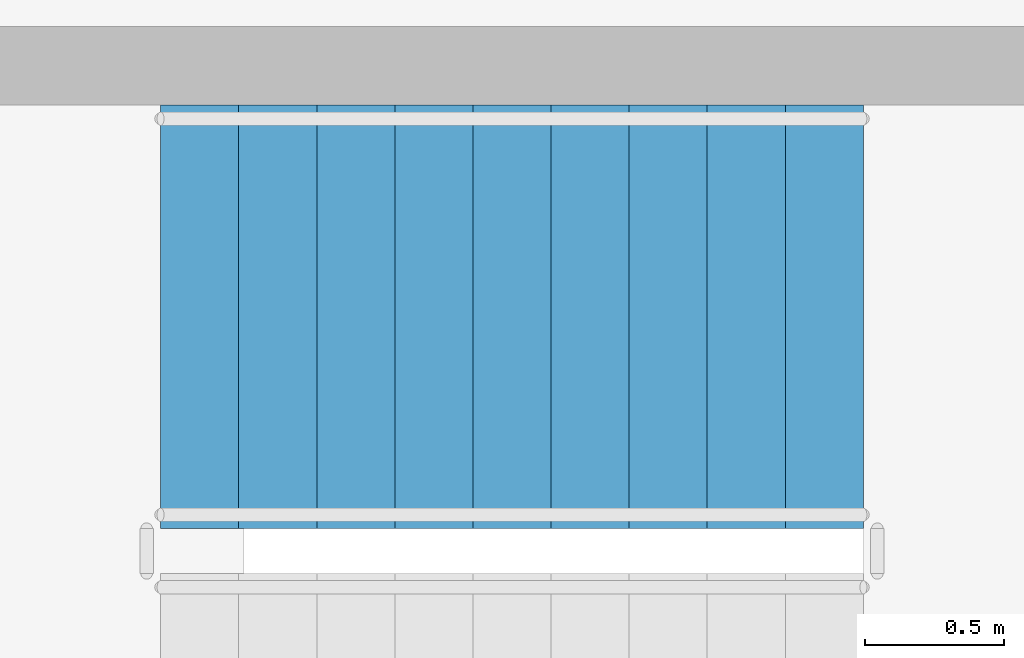
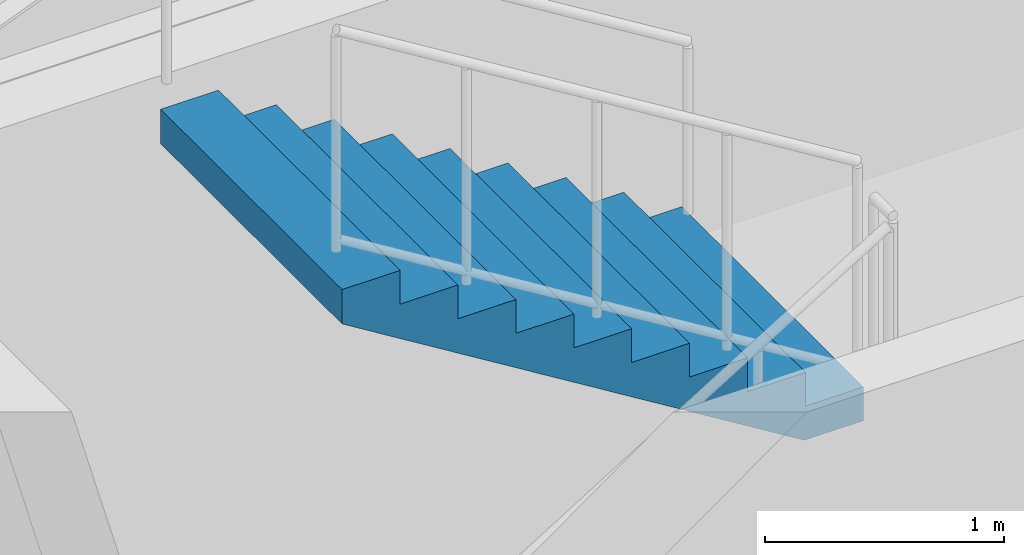
# One storey, part 10 of 11: 1 stair flight, 1 element without a shape of its own.
"""IFC4 building model written with IfcOpenShell, lengths in metres."""

from ifc_helpers import new_model, si_unit, direction, frame, origin, place, context, subcontext, project, spatial, polyline, outline, extrude, material, type_object, element, aggregate, save


model = new_model("IFC4")

# Units and contexts
model_context = context("Model", 3, precision=1e-05, world=origin(), true_north=direction((0.0, 1.0)))
body_context = subcontext(model_context, "Body", "Model", "MODEL_VIEW")
ifc_project = project(units=[si_unit("LENGTHUNIT", "METRE"), si_unit("AREAUNIT", "SQUARE_METRE"), si_unit("VOLUMEUNIT", "CUBIC_METRE"), si_unit("PLANEANGLEUNIT", "RADIAN"), si_unit("MASSUNIT", "GRAM", prefix="KILO"), si_unit("THERMODYNAMICTEMPERATUREUNIT", "KELVIN"), si_unit("POWERUNIT", "WATT")], contexts=[model_context])

# Site, building, storey
site_placement = place(None, origin())
site = spatial("IfcSite", under=ifc_project, at=site_placement, CompositionType="ELEMENT")
building_placement = place(site_placement, origin())
building = spatial("IfcBuilding", under=site, at=building_placement, Name="Skarre Station Tower", CompositionType="ELEMENT")
storey_placement = place(building_placement, frame((0.0, 0.0, 139.5)))
storey = spatial("IfcBuildingStorey", under=building, at=storey_placement, Name="L37", CompositionType="ELEMENT", Elevation=139.5)

# Stair, stair flight
ifc_material = material(Name="Concrete C40/50", Category="concrete")
stair_type = type_object("IfcStairType", Name="Reinforced Concrete Exit Stair ST-3", PredefinedType="HALF_TURN_STAIR", material=ifc_material)
stair_placement = place(storey_placement, origin())
stair = element("IfcStair", 1, at=stair_placement, inside=storey, type_object=stair_type, Name="L37 Core Exit Stair ST-3", PredefinedType="HALF_TURN_STAIR")
stair_flight_type = type_object("IfcStairFlightType", Name="Reinforced Concrete Stair Flight ST-3", PredefinedType="STRAIGHT", material=ifc_material)
stair_flight_placement = place(storey_placement, frame((25.8701171875, 33.93994140625, 1.72509765625), z_axis=(0.0, 0.0, 1.0), x_axis=(-1.0, 0.0, 0.0)))
stair_flight = element("IfcStairFlight", 2, at=stair_flight_placement, type_object=stair_flight_type, Name="ST-3 flight 2", NumberOfRisers=10, NumberOfTreads=9, PredefinedType="STRAIGHT", RiserHeight=0.1725, TreadLength=0.28, context=body_context, shape_type="SweptSolid", body=[
    extrude(outline(polyline([(0.0, 0.0), (0.0, 0.172607421875), (0.280029296875, 0.172607421875), (0.280029296875, 0.344970703125), (0.56005859375, 0.344970703125), (0.56005859375, 0.517578125), (0.840087890625, 0.517578125), (0.840087890625, 0.68994140625), (1.1201171875, 0.68994140625), (1.1201171875, 0.862548828125), (1.39990234375, 0.862548828125), (1.39990234375, 1.034912109375), (1.679931640625, 1.034912109375), (1.679931640625, 1.20751953125), (1.9599609375, 1.20751953125), (1.9599609375, 1.3798828125), (2.239990234375, 1.3798828125), (2.239990234375, 1.552490234375), (2.52001953125, 1.552490234375), (2.52001953125, 1.72509765625), (2.52001953125, 1.37646484375), (0.285888671875, 0.0), (0.0, 0.0)])), frame((0.0, 0.760009765625, 0.0), z_axis=(0.0, -1.0, 0.0), x_axis=(1.0, 0.0, 0.0)), (0.0, 0.0, 1.0), 1.52001953125),
])
aggregate(stair, [stair_flight])

save(model, "model.ifc")
